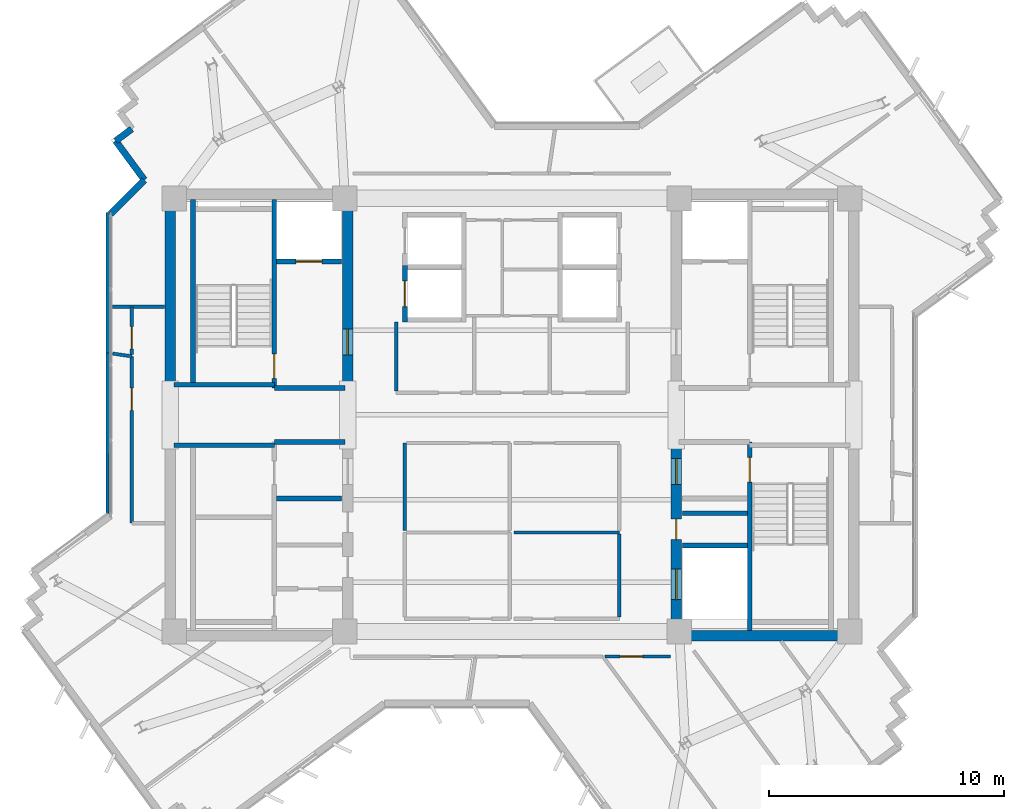
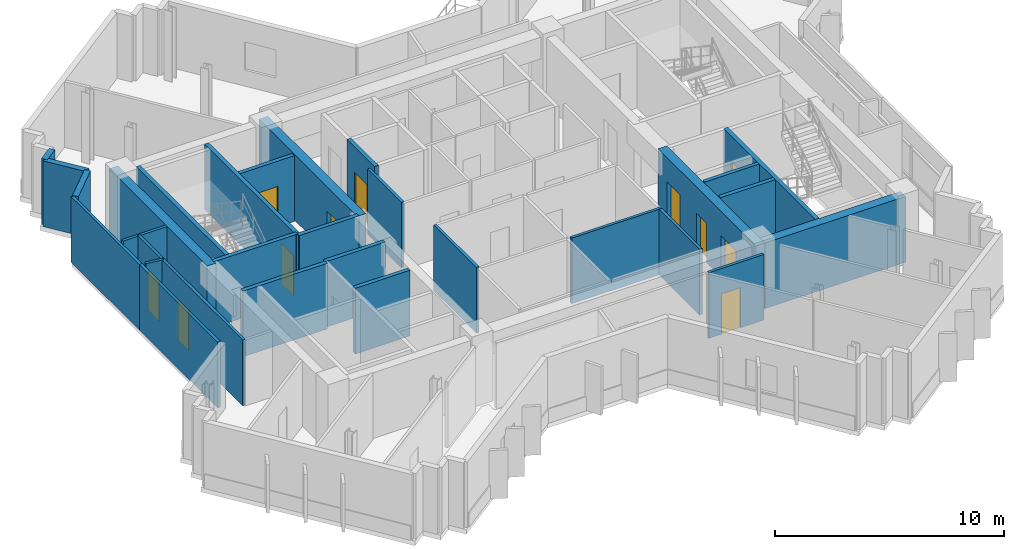
# One storey, part 7 of 13: 30 walls, 11 doors, 11 openings.
"""IFC4 building model written with IfcOpenShell, lengths in metres."""

from ifc_helpers import new_model, si_unit, direction, frame, frame_2d, origin, place, context, subcontext, project, spatial, rectangle, extrude, source, transform, mapped, material, layer, layer_set, type_object, element, fill, save


model = new_model("IFC4")

# Units and contexts
model_context = context("Model", 3, precision=1e-05, world=origin(), true_north=direction((0.0, 1.0)))
body_context = subcontext(model_context, "Body", "Model", "MODEL_VIEW")
ifc_project = project(units=[si_unit("LENGTHUNIT", "METRE"), si_unit("AREAUNIT", "SQUARE_METRE"), si_unit("VOLUMEUNIT", "CUBIC_METRE"), si_unit("PLANEANGLEUNIT", "RADIAN"), si_unit("MASSUNIT", "GRAM", prefix="KILO")], contexts=[model_context])

# Site, building, storey
site_placement = place(None, origin())
site = spatial("IfcSite", under=ifc_project, at=site_placement, CompositionType="ELEMENT")
building_placement = place(site_placement, origin())
building = spatial("IfcBuilding", under=site, at=building_placement, Name="Zahravan Cultural Tower", CompositionType="ELEMENT")
storey_placement = place(building_placement, frame((0.0, 0.0, 276.60009765625)))
storey = spatial("IfcBuildingStorey", under=building, at=storey_placement, Name="L66", CompositionType="ELEMENT", Elevation=276.60009765625)

# Wall, opening, door
ifc_material_1 = material(Name="Concrete C50/60", Category="concrete")
ifc_layer_1 = layer(ifc_material_1, 0.449951171875)
ifc_layer_set_1 = layer_set([ifc_layer_1], Name="Concrete C50/60")
wall_type_1 = type_object("IfcWallType", Name="CW-SHEAR-450-C50", PredefinedType="SHEAR", material=ifc_layer_set_1)
wall_1_placement = place(storey_placement, frame((29.02490234375, 28.050048828125, 0.0), z_axis=(0.0, 0.0, 1.0), x_axis=(0.0, 1.0, 0.0)))
wall_1 = element("IfcWall", 1, at=wall_1_placement, inside=storey, type_object=wall_type_1, Name="L66 Core Shear Wall CW-W-EN-L66", PredefinedType="SHEAR", context=body_context, shape_type="SweptSolid", body=[
    extrude(rectangle(XDim=8.550048828125, YDim=0.449951171875, at=frame_2d((4.27490234375, 0.0))), origin(), (0.0, 0.0, 1.0), 3.5),
])
opening_1_placement = place(wall_1_placement, frame((1.5, 0.0, 0.0)))
opening_1 = element("IfcOpeningElement", 2, at=opening_1_placement, cuts=wall_1, Name="Opening D-L66-06", PredefinedType="OPENING", context=body_context, shape_type="SweptSolid", body=[
    extrude(rectangle(XDim=1.10009765625, YDim=2.199951171875, at=frame_2d((0.550048828125, 1.10009765625))), frame((0.0, 0.23486328125, 0.0), z_axis=(0.0, -1.0, 0.0), x_axis=(1.0, 0.0, 0.0)), (0.0, 0.0, 1.0), 0.469970703125),
])
ifc_material_2 = material(Name="Steel ASTM A572 Grade 50", Category="steel")
door_type_1 = type_object("IfcDoorType", Name="DR-LOBBY-1100", OperationType="NOTDEFINED", PredefinedType="DOOR", material=ifc_material_2)
shared_shape_1 = source(origin(), body_context, "Body", "SweptSolid", [
    extrude(rectangle(XDim=1.10009765625, YDim=2.199951171875, at=frame_2d((0.550048828125, 1.10009765625))), frame((0.0, 0.02490234375, 0.0), z_axis=(0.0, -1.0, 0.0), x_axis=(1.0, 0.0, 0.0)), (0.0, 0.0, 1.0), 0.050048828125),
])
door_1_placement = place(opening_1_placement, origin())
door_1 = element("IfcDoor", 3, at=door_1_placement, inside=storey, type_object=door_type_1, Name="L66 Door D-L66-06", OperationType="SINGLE_SWING_RIGHT", OverallHeight=2.199951171875, OverallWidth=1.10009765625, PredefinedType="DOOR", context=body_context, shape_type="MappedRepresentation", body=[
    mapped(shared_shape_1, transform((0.0, 0.0, 0.0), x_axis=(1.0, 0.0, 0.0), y_axis=(0.0, 1.0, 0.0), z_axis=(0.0, 0.0, 1.0), scale=1.0)),
])
fill(opening_1, door_1)

# Wall, openings, doors
wall_2_placement = place(storey_placement, frame((42.97509765625, 17.39990234375, 0.0), z_axis=(0.0, 0.0, 1.0), x_axis=(0.0, 1.0, 0.0)))
wall_2 = element("IfcWall", 4, at=wall_2_placement, inside=storey, type_object=wall_type_1, Name="L66 Core Shear Wall CW-E-WS-L66", PredefinedType="SHEAR", context=body_context, shape_type="SweptSolid", body=[
    extrude(rectangle(XDim=8.550048828125, YDim=0.449951171875, at=frame_2d((4.27490234375, 0.0))), origin(), (0.0, 0.0, 1.0), 3.5),
])
opening_2_placement = place(wall_2_placement, frame((6.64990234375, 0.0, 0.0)))
opening_2 = element("IfcOpeningElement", 5, at=opening_2_placement, cuts=wall_2, Name="Opening D-L66-09", PredefinedType="OPENING", context=body_context, shape_type="SweptSolid", body=[
    extrude(rectangle(XDim=1.10009765625, YDim=2.199951171875, at=frame_2d((0.550048828125, 1.10009765625))), frame((0.0, 0.23486328125, 0.0), z_axis=(0.0, -1.0, 0.0), x_axis=(1.0, 0.0, 0.0)), (0.0, 0.0, 1.0), 0.469970703125),
])
opening_3_placement = place(wall_2_placement, frame((1.75, 0.0, 0.0)))
opening_3 = element("IfcOpeningElement", 6, at=opening_3_placement, cuts=wall_2, Name="Opening LD-L66-03", PredefinedType="OPENING", context=body_context, shape_type="SweptSolid", body=[
    extrude(rectangle(XDim=1.300048828125, YDim=2.199951171875, at=frame_2d((0.64990234375, 1.10009765625))), frame((0.0, 0.23486328125, 0.0), z_axis=(0.0, -1.0, 0.0), x_axis=(1.0, 0.0, 0.0)), (0.0, 0.0, 1.0), 0.469970703125),
])
opening_4_placement = place(wall_2_placement, frame((4.300048828125, 0.0, 0.0)))
opening_4 = element("IfcOpeningElement", 7, at=opening_4_placement, cuts=wall_2, Name="Opening D-L66-13", PredefinedType="OPENING", context=body_context, shape_type="SweptSolid", body=[
    extrude(rectangle(XDim=0.8798828125, YDim=2.10009765625, at=frame_2d((0.43994140625, 1.050048828125))), frame((0.0, 0.23486328125, 0.0), z_axis=(0.0, -1.0, 0.0), x_axis=(1.0, 0.0, 0.0)), (0.0, 0.0, 1.0), 0.469970703125),
])
door_2_placement = place(opening_2_placement, origin())
door_2 = element("IfcDoor", 8, at=door_2_placement, inside=storey, type_object=door_type_1, Name="L66 Door D-L66-09", OperationType="SINGLE_SWING_LEFT", OverallHeight=2.199951171875, OverallWidth=1.10009765625, PredefinedType="DOOR", context=body_context, shape_type="MappedRepresentation", body=[
    mapped(shared_shape_1, transform((0.0, 0.0, 0.0), x_axis=(1.0, 0.0, 0.0), y_axis=(0.0, 1.0, 0.0), z_axis=(0.0, 0.0, 1.0), scale=1.0)),
])
fill(opening_2, door_2)
door_type_2 = type_object("IfcDoorType", Name="DR-LIFT-1300", OperationType="DOUBLE_DOOR_SLIDING", PredefinedType="DOOR", material=ifc_material_2)
shared_shape_2 = source(origin(), body_context, "Body", "SweptSolid", [
    extrude(rectangle(XDim=1.300048828125, YDim=2.199951171875, at=frame_2d((0.64990234375, 1.10009765625))), frame((0.0, 0.02490234375, 0.0), z_axis=(0.0, -1.0, 0.0), x_axis=(1.0, 0.0, 0.0)), (0.0, 0.0, 1.0), 0.050048828125),
])
door_3_placement = place(opening_3_placement, origin())
door_3 = element("IfcDoor", 9, at=door_3_placement, inside=storey, type_object=door_type_2, Name="L66 Door LD-L66-03", OperationType="DOUBLE_DOOR_SLIDING", OverallHeight=2.199951171875, OverallWidth=1.300048828125, PredefinedType="DOOR", context=body_context, shape_type="MappedRepresentation", body=[
    mapped(shared_shape_2, transform((0.0, 0.0, 0.0), x_axis=(1.0, 0.0, 0.0), y_axis=(0.0, 1.0, 0.0), z_axis=(0.0, 0.0, 1.0), scale=1.0)),
])
fill(opening_3, door_3)
door_type_3 = type_object("IfcDoorType", Name="DR-SVC-880", OperationType="NOTDEFINED", PredefinedType="DOOR", material=ifc_material_2)
shared_shape_3 = source(origin(), body_context, "Body", "SweptSolid", [
    extrude(rectangle(XDim=0.8798828125, YDim=2.10009765625, at=frame_2d((0.43994140625, 1.050048828125))), frame((0.0, 0.02490234375, 0.0), z_axis=(0.0, -1.0, 0.0), x_axis=(1.0, 0.0, 0.0)), (0.0, 0.0, 1.0), 0.050048828125),
])
door_4_placement = place(opening_4_placement, origin())
door_4 = element("IfcDoor", 10, at=door_4_placement, inside=storey, type_object=door_type_3, Name="L66 Door D-L66-13", OperationType="SINGLE_SWING_LEFT", OverallHeight=2.10009765625, OverallWidth=0.8798828125, PredefinedType="DOOR", context=body_context, shape_type="MappedRepresentation", body=[
    mapped(shared_shape_3, transform((0.0, 0.0, 0.0), x_axis=(1.0, 0.0, 0.0), y_axis=(0.0, 1.0, 0.0), z_axis=(0.0, 0.0, 1.0), scale=1.0)),
])
fill(opening_4, door_4)

# Wall, opening, door
ifc_material_3 = material(Name="Gypsum plasterboard partition")
ifc_layer_2 = layer(ifc_material_3, 0.139892578125)
ifc_layer_set_2 = layer_set([ifc_layer_2], Name="Gypsum plasterboard partition")
wall_type_2 = type_object("IfcWallType", Name="W-PART-140", PredefinedType="PARTITIONING", material=ifc_layer_set_2)
wall_3_placement = place(storey_placement, frame((19.85009765625, 29.489501953125, 0.0), z_axis=(0.0, 0.0, 1.0), x_axis=(0.0, -1.0, 0.0)))
wall_3 = element("IfcWall", 11, at=wall_3_placement, inside=storey, type_object=wall_type_2, Name="L66 Interior Wall 081", PredefinedType="PARTITIONING", context=body_context, shape_type="SweptSolid", body=[
    extrude(rectangle(XDim=7.08349609375, YDim=0.139892578125, at=frame_2d((3.541748046875, 0.0))), origin(), (0.0, 0.0, 1.0), 3.5),
])
opening_5_placement = place(wall_3_placement, frame((1.349365234375, 0.0, 0.0)))
opening_5 = element("IfcOpeningElement", 12, at=opening_5_placement, cuts=wall_3, Name="Opening D-L66-27", PredefinedType="OPENING", context=body_context, shape_type="SweptSolid", body=[
    extrude(rectangle(XDim=0.949951171875, YDim=2.14990234375, at=frame_2d((0.47509765625, 1.074951171875))), frame((0.0, 0.079833984375, 0.0), z_axis=(0.0, -1.0, 0.0), x_axis=(1.0, 0.0, 0.0)), (0.0, 0.0, 1.0), 0.159912109375),
])
ifc_material_4 = material(Name="Anodised bronze-aluminium mullion", Category="aluminium")
door_type_4 = type_object("IfcDoorType", Name="DR-ROOM-950", OperationType="NOTDEFINED", PredefinedType="DOOR", material=ifc_material_4)
shared_shape_4 = source(origin(), body_context, "Body", "SweptSolid", [
    extrude(rectangle(XDim=0.949951171875, YDim=2.14990234375, at=frame_2d((0.47509765625, 1.074951171875))), frame((0.0, 0.02490234375, 0.0), z_axis=(0.0, -1.0, 0.0), x_axis=(1.0, 0.0, 0.0)), (0.0, 0.0, 1.0), 0.050048828125),
])
door_5_placement = place(opening_5_placement, origin())
door_5 = element("IfcDoor", 13, at=door_5_placement, inside=storey, type_object=door_type_4, Name="L66 Door D-L66-27", OperationType="SINGLE_SWING_LEFT", OverallHeight=2.14990234375, OverallWidth=0.949951171875, PredefinedType="DOOR", context=body_context, shape_type="MappedRepresentation", body=[
    mapped(shared_shape_4, transform((0.0, 0.0, 0.0), x_axis=(1.0, 0.0, 0.0), y_axis=(0.0, 1.0, 0.0), z_axis=(0.0, 0.0, 1.0), scale=1.0)),
])
fill(opening_5, door_5)

wall_4_placement = place(storey_placement, frame((39.9560546875, 16.739990234375, 0.0), z_axis=(0.0, 0.0, 1.0), x_axis=(0.999999996161, 8.7619381e-05, 0.0)))
wall_4 = element("IfcWall", 14, at=wall_4_placement, inside=storey, type_object=wall_type_2, Name="L66 Interior Wall 087", PredefinedType="PARTITIONING", context=body_context, shape_type="SweptSolid", body=[
    extrude(rectangle(XDim=2.786376953125, YDim=0.139892578125, at=frame_2d((1.39306640625, 0.0))), origin(), (0.0, 0.0, 1.0), 3.5),
])
opening_6_placement = place(wall_4_placement, frame((0.642578125, 0.0, 0.0)))
opening_6 = element("IfcOpeningElement", 15, at=opening_6_placement, cuts=wall_4, Name="Opening D-L66-30", PredefinedType="OPENING", context=body_context, shape_type="SweptSolid", body=[
    extrude(rectangle(XDim=0.949951171875, YDim=2.14990234375, at=frame_2d((0.47509765625, 1.074951171875))), frame((0.0, 0.079833984375, 0.0), z_axis=(0.0, -1.0, 0.0), x_axis=(1.0, 0.0, 0.0)), (0.0, 0.0, 1.0), 0.159912109375),
])
door_6_placement = place(opening_6_placement, origin())
door_6 = element("IfcDoor", 16, at=door_6_placement, inside=storey, type_object=door_type_4, Name="L66 Door D-L66-30", OperationType="SINGLE_SWING_RIGHT", OverallHeight=2.14990234375, OverallWidth=0.949951171875, PredefinedType="DOOR", context=body_context, shape_type="MappedRepresentation", body=[
    mapped(shared_shape_4, transform((0.0, 0.0, 0.0), x_axis=(1.0, 0.0, 0.0), y_axis=(0.0, 1.0, 0.0), z_axis=(0.0, 0.0, 1.0), scale=1.0)),
])
fill(opening_6, door_6)

wall_5_placement = place(storey_placement, frame((19.8505859375, 31.596435546875, 0.0), z_axis=(0.0, 0.0, 1.0), x_axis=(-0.000240384608, -0.999999971108, 0.0)))
wall_5 = element("IfcWall", 17, at=wall_5_placement, inside=storey, type_object=wall_type_2, Name="L66 Interior Wall 091", PredefinedType="PARTITIONING", context=body_context, shape_type="SweptSolid", body=[
    extrude(rectangle(XDim=2.03125, YDim=0.139892578125, at=frame_2d((1.015625, 0.0))), origin(), (0.0, 0.0, 1.0), 3.5),
])
opening_7_placement = place(wall_5_placement, frame((0.843505859375, 0.0, 0.0)))
opening_7 = element("IfcOpeningElement", 18, at=opening_7_placement, cuts=wall_5, Name="Opening D-L66-26", PredefinedType="OPENING", context=body_context, shape_type="SweptSolid", body=[
    extrude(rectangle(XDim=0.949951171875, YDim=2.14990234375, at=frame_2d((0.47509765625, 1.074951171875))), frame((0.0, 0.079833984375, 0.0), z_axis=(0.0, -1.0, 0.0), x_axis=(1.0, 0.0, 0.0)), (0.0, 0.0, 1.0), 0.159912109375),
])
door_7_placement = place(opening_7_placement, origin())
door_7 = element("IfcDoor", 19, at=door_7_placement, inside=storey, type_object=door_type_4, Name="L66 Door D-L66-26", OperationType="SINGLE_SWING_RIGHT", OverallHeight=2.14990234375, OverallWidth=0.949951171875, PredefinedType="DOOR", context=body_context, shape_type="MappedRepresentation", body=[
    mapped(shared_shape_4, transform((0.0, 0.0, 0.0), x_axis=(1.0, 0.0, 0.0), y_axis=(0.0, 1.0, 0.0), z_axis=(0.0, 0.0, 1.0), scale=1.0)),
])
fill(opening_7, door_7)

ifc_material_5 = material(Name="Concrete C45/55", Category="concrete")
ifc_layer_3 = layer(ifc_material_5, 0.199951171875)
ifc_layer_set_3 = layer_set([ifc_layer_3], Name="Concrete C45/55")
wall_type_3 = type_object("IfcWallType", Name="W-SHAFT-200", PredefinedType="SOLIDWALL", material=ifc_layer_set_3)
wall_6_placement = place(storey_placement, frame((25.89990234375, 28.14990234375, 0.0), z_axis=(0.0, 0.0, 1.0), x_axis=(0.0, 1.0, 0.0)))
wall_6 = element("IfcWall", 20, at=wall_6_placement, inside=storey, type_object=wall_type_3, Name="L66 Interior Wall 006", PredefinedType="SOLIDWALL", context=body_context, shape_type="SweptSolid", body=[
    extrude(rectangle(XDim=8.0, YDim=0.199951171875, at=frame_2d((4.0, 0.0))), origin(), (0.0, 0.0, 1.0), 3.5),
])
opening_8_placement = place(wall_6_placement, frame((0.39990234375, 0.0, 0.0)))
opening_8 = element("IfcOpeningElement", 21, at=opening_8_placement, cuts=wall_6, Name="Opening D-L66-01", PredefinedType="OPENING", context=body_context, shape_type="SweptSolid", body=[
    extrude(rectangle(XDim=1.050048828125, YDim=2.14990234375, at=frame_2d((0.52490234375, 1.074951171875))), frame((0.0, 0.10986328125, 0.0), z_axis=(0.0, -1.0, 0.0), x_axis=(1.0, 0.0, 0.0)), (0.0, 0.0, 1.0), 0.219970703125),
])
door_type_5 = type_object("IfcDoorType", Name="DR-STAIR-1050", OperationType="NOTDEFINED", PredefinedType="DOOR", material=ifc_material_2)
shared_shape_5 = source(origin(), body_context, "Body", "SweptSolid", [
    extrude(rectangle(XDim=1.050048828125, YDim=2.14990234375, at=frame_2d((0.52490234375, 1.074951171875))), frame((0.0, 0.02490234375, 0.0), z_axis=(0.0, -1.0, 0.0), x_axis=(1.0, 0.0, 0.0)), (0.0, 0.0, 1.0), 0.050048828125),
])
door_8_placement = place(opening_8_placement, origin())
door_8 = element("IfcDoor", 22, at=door_8_placement, inside=storey, type_object=door_type_5, Name="L66 Door D-L66-01", OperationType="SINGLE_SWING_LEFT", OverallHeight=2.14990234375, OverallWidth=1.050048828125, PredefinedType="DOOR", context=body_context, shape_type="MappedRepresentation", body=[
    mapped(shared_shape_5, transform((0.0, 0.0, 0.0), x_axis=(1.0, 0.0, 0.0), y_axis=(0.0, 1.0, 0.0), z_axis=(0.0, 0.0, 1.0), scale=1.0)),
])
fill(opening_8, door_8)

wall_7_placement = place(storey_placement, frame((46.10009765625, 17.85009765625, 0.0), z_axis=(0.0, 0.0, 1.0), x_axis=(0.0, 1.0, 0.0)))
wall_7 = element("IfcWall", 23, at=wall_7_placement, inside=storey, type_object=wall_type_3, Name="L66 Interior Wall 007", PredefinedType="SOLIDWALL", context=body_context, shape_type="SweptSolid", body=[
    extrude(rectangle(XDim=8.0, YDim=0.199951171875, at=frame_2d((4.0, 0.0))), origin(), (0.0, 0.0, 1.0), 3.5),
])
opening_9_placement = place(wall_7_placement, frame((6.300048828125, 0.0, 0.0)))
opening_9 = element("IfcOpeningElement", 24, at=opening_9_placement, cuts=wall_7, Name="Opening D-L66-03", PredefinedType="OPENING", context=body_context, shape_type="SweptSolid", body=[
    extrude(rectangle(XDim=1.050048828125, YDim=2.14990234375, at=frame_2d((0.52490234375, 1.074951171875))), frame((0.0, 0.10986328125, 0.0), z_axis=(0.0, -1.0, 0.0), x_axis=(1.0, 0.0, 0.0)), (0.0, 0.0, 1.0), 0.219970703125),
])
door_9_placement = place(opening_9_placement, origin())
door_9 = element("IfcDoor", 25, at=door_9_placement, inside=storey, type_object=door_type_5, Name="L66 Door D-L66-03", OperationType="SINGLE_SWING_LEFT", OverallHeight=2.14990234375, OverallWidth=1.050048828125, PredefinedType="DOOR", context=body_context, shape_type="MappedRepresentation", body=[
    mapped(shared_shape_5, transform((0.0, 0.0, 0.0), x_axis=(1.0, 0.0, 0.0), y_axis=(0.0, 1.0, 0.0), z_axis=(0.0, 0.0, 1.0), scale=1.0)),
])
fill(opening_9, door_9)

wall_8_placement = place(storey_placement, frame((26.0, 33.52001953125, 0.0), z_axis=(0.0, 0.0, 1.0), x_axis=(1.0, 0.0, 0.0)))
wall_8 = element("IfcWall", 26, at=wall_8_placement, inside=storey, type_object=wall_type_3, Name="L66 Interior Wall 022", PredefinedType="SOLIDWALL", context=body_context, shape_type="SweptSolid", body=[
    extrude(rectangle(XDim=2.75, YDim=0.199951171875, at=frame_2d((1.375, 0.0))), origin(), (0.0, 0.0, 1.0), 3.5),
])
opening_10_placement = place(wall_8_placement, frame((0.820068359375, 0.0, 0.0)))
opening_10 = element("IfcOpeningElement", 27, at=opening_10_placement, cuts=wall_8, Name="Opening LD-L66-01", PredefinedType="OPENING", context=body_context, shape_type="SweptSolid", body=[
    extrude(rectangle(XDim=1.10009765625, YDim=2.14990234375, at=frame_2d((0.550048828125, 1.074951171875))), frame((0.0, 0.10986328125, 0.0), z_axis=(0.0, -1.0, 0.0), x_axis=(1.0, 0.0, 0.0)), (0.0, 0.0, 1.0), 0.219970703125),
])
door_type_6 = type_object("IfcDoorType", Name="DR-LIFT-1100", OperationType="DOUBLE_DOOR_SLIDING", PredefinedType="DOOR", material=ifc_material_2)
shared_shape_6 = source(origin(), body_context, "Body", "SweptSolid", [
    extrude(rectangle(XDim=1.10009765625, YDim=2.14990234375, at=frame_2d((0.550048828125, 1.074951171875))), frame((0.0, 0.02490234375, 0.0), z_axis=(0.0, -1.0, 0.0), x_axis=(1.0, 0.0, 0.0)), (0.0, 0.0, 1.0), 0.050048828125),
])
door_10_placement = place(opening_10_placement, origin())
door_10 = element("IfcDoor", 28, at=door_10_placement, inside=storey, type_object=door_type_6, Name="L66 Door LD-L66-01", OperationType="DOUBLE_DOOR_SLIDING", OverallHeight=2.14990234375, OverallWidth=1.10009765625, PredefinedType="DOOR", context=body_context, shape_type="MappedRepresentation", body=[
    mapped(shared_shape_6, transform((0.0, 0.0, 0.0), x_axis=(1.0, 0.0, 0.0), y_axis=(0.0, 1.0, 0.0), z_axis=(0.0, 0.0, 1.0), scale=1.0)),
])
fill(opening_10, door_10)

wall_9_placement = place(storey_placement, frame((31.449951171875, 30.949951171875, 0.0), z_axis=(0.0, 0.0, 1.0), x_axis=(0.0, 1.0, 0.0)))
wall_9 = element("IfcWall", 29, at=wall_9_placement, inside=storey, type_object=wall_type_3, Name="L66 Interior Wall 034", PredefinedType="SOLIDWALL", context=body_context, shape_type="SweptSolid", body=[
    extrude(rectangle(XDim=2.400146484375, YDim=0.199951171875, at=frame_2d((1.2001953125, 0.0))), origin(), (0.0, 0.0, 1.0), 3.5),
])
opening_11_placement = place(wall_9_placement, frame((0.64990234375, 0.0, 0.0)))
opening_11 = element("IfcOpeningElement", 30, at=opening_11_placement, cuts=wall_9, Name="Opening LD-L66-05", PredefinedType="OPENING", context=body_context, shape_type="SweptSolid", body=[
    extrude(rectangle(XDim=1.10009765625, YDim=2.14990234375, at=frame_2d((0.550048828125, 1.074951171875))), frame((0.0, 0.10986328125, 0.0), z_axis=(0.0, -1.0, 0.0), x_axis=(1.0, 0.0, 0.0)), (0.0, 0.0, 1.0), 0.219970703125),
])
door_11_placement = place(opening_11_placement, origin())
door_11 = element("IfcDoor", 31, at=door_11_placement, inside=storey, type_object=door_type_6, Name="L66 Door LD-L66-05", OperationType="DOUBLE_DOOR_SLIDING", OverallHeight=2.14990234375, OverallWidth=1.10009765625, PredefinedType="DOOR", context=body_context, shape_type="MappedRepresentation", body=[
    mapped(shared_shape_6, transform((0.0, 0.0, 0.0), x_axis=(1.0, 0.0, 0.0), y_axis=(0.0, 1.0, 0.0), z_axis=(0.0, 0.0, 1.0), scale=1.0)),
])
fill(opening_11, door_11)

# Walls
shared_shape_7 = source(origin(), body_context, "Body", "SweptSolid", [
    extrude(rectangle(XDim=8.550048828125, YDim=0.449951171875, at=frame_2d((4.27490234375, 0.0))), origin(), (0.0, 0.0, 1.0), 3.5),
])
wall_10_placement = place(storey_placement, frame((21.47509765625, 28.050048828125, 0.0), z_axis=(0.0, 0.0, 1.0), x_axis=(0.0, 1.0, 0.0)))
element("IfcWall", 32, at=wall_10_placement, inside=storey, type_object=wall_type_1, Name="L66 Core Shear Wall CW-W-WN-L66", PredefinedType="SHEAR", context=body_context, shape_type="MappedRepresentation", body=[
    mapped(shared_shape_7, transform((0.0, 0.0, 0.0), x_axis=(1.0, 0.0, 0.0), y_axis=(0.0, 1.0, 0.0), z_axis=(0.0, 0.0, 1.0), scale=1.0)),
])
shared_shape_8 = source(origin(), body_context, "Body", "SweptSolid", [
    extrude(rectangle(XDim=7.10009765625, YDim=0.449951171875, at=frame_2d((3.550048828125, 0.0))), origin(), (0.0, 0.0, 1.0), 3.5),
])
wall_11_placement = place(storey_placement, frame((43.199951171875, 17.625, 0.0), z_axis=(0.0, 0.0, 1.0), x_axis=(1.0, 0.0, 0.0)))
element("IfcWall", 33, at=wall_11_placement, inside=storey, type_object=wall_type_1, Name="L66 Core Shear Wall CW-E-S-L66", PredefinedType="SHEAR", context=body_context, shape_type="MappedRepresentation", body=[
    mapped(shared_shape_8, transform((0.0, 0.0, 0.0), x_axis=(1.0, 0.0, 0.0), y_axis=(0.0, 1.0, 0.0), z_axis=(0.0, 0.0, 1.0), scale=1.0)),
])
ifc_material_6 = material(Name="Precast concrete C40/50", Category="concrete")
ifc_layer_4 = layer(ifc_material_6, 0.280029296875)
ifc_layer_set_4 = layer_set([ifc_layer_4], Name="Precast concrete C40/50")
wall_type_4 = type_object("IfcWallType", Name="EW-TC-280", PredefinedType="SOLIDWALL", material=ifc_layer_set_4)
shared_shape_9 = source(origin(), body_context, "Body", "SweptSolid", [
    extrude(rectangle(XDim=0.85009765625, YDim=0.280029296875, at=frame_2d((0.425048828125, 0.0))), origin(), (0.0, 0.0, 1.0), 3.5),
])
wall_12_placement = place(storey_placement, frame((19.160888671875, 38.645263671875, 0.0), z_axis=(0.0, 0.0, 1.0), x_axis=(0.80534450163, 0.592807079659, 0.0)))
element("IfcWall", 34, at=wall_12_placement, inside=storey, type_object=wall_type_4, Name="L66 Exterior Masonry Frame Wall 38", PredefinedType="SOLIDWALL", context=body_context, shape_type="MappedRepresentation", body=[
    mapped(shared_shape_9, transform((0.0, 0.0, 0.0), x_axis=(1.0, 0.0, 0.0), y_axis=(0.0, 1.0, 0.0), z_axis=(0.0, 0.0, 1.0), scale=1.0)),
])
shared_shape_10 = source(origin(), body_context, "Body", "SweptSolid", [
    extrude(rectangle(XDim=2.04052734375, YDim=0.280029296875, at=frame_2d((1.020263671875, 0.0))), origin(), (0.0, 0.0, 1.0), 3.5),
])
wall_13_placement = place(storey_placement, frame((18.93994140625, 35.5419921875, 0.0), z_axis=(0.0, 0.0, 1.0), x_axis=(0.707106781187, 0.707106781187, 0.0)))
element("IfcWall", 35, at=wall_13_placement, inside=storey, type_object=wall_type_4, Name="L66 Exterior Masonry Frame Wall 36", PredefinedType="SOLIDWALL", context=body_context, shape_type="MappedRepresentation", body=[
    mapped(shared_shape_10, transform((0.0, 0.0, 0.0), x_axis=(1.0, 0.0, 0.0), y_axis=(0.0, 1.0, 0.0), z_axis=(0.0, 0.0, 1.0), scale=1.0)),
])
shared_shape_11 = source(origin(), body_context, "Body", "SweptSolid", [
    extrude(rectangle(XDim=2.0615234375, YDim=0.280029296875, at=frame_2d((1.03076171875, 0.0))), origin(), (0.0, 0.0, 1.0), 3.5),
])
wall_14_placement = place(storey_placement, frame((20.3828125, 36.98486328125, 0.0), z_axis=(0.0, 0.0, 1.0), x_axis=(-0.592718215209, 0.80540990642, 0.0)))
element("IfcWall", 36, at=wall_14_placement, inside=storey, type_object=wall_type_4, Name="L66 Exterior Masonry Frame Wall 37", PredefinedType="SOLIDWALL", context=body_context, shape_type="MappedRepresentation", body=[
    mapped(shared_shape_11, transform((0.0, 0.0, 0.0), x_axis=(1.0, 0.0, 0.0), y_axis=(0.0, 1.0, 0.0), z_axis=(0.0, 0.0, 1.0), scale=1.0)),
])
shared_shape_12 = source(origin(), body_context, "Body", "SweptSolid", [
    extrude(rectangle(XDim=7.869873046875, YDim=0.199951171875, at=frame_2d((3.93505859375, 0.0))), origin(), (0.0, 0.0, 1.0), 3.5),
])
wall_15_placement = place(storey_placement, frame((22.449951171875, 28.280029296875, 0.0), z_axis=(0.0, 0.0, 1.0), x_axis=(0.0, 1.0, 0.0)))
element("IfcWall", 37, at=wall_15_placement, inside=storey, type_object=wall_type_3, Name="L66 Interior Wall 002", PredefinedType="SOLIDWALL", context=body_context, shape_type="MappedRepresentation", body=[
    mapped(shared_shape_12, transform((0.0, 0.0, 0.0), x_axis=(1.0, 0.0, 0.0), y_axis=(0.0, 1.0, 0.0), z_axis=(0.0, 0.0, 1.0), scale=1.0)),
])
shared_shape_13 = source(origin(), body_context, "Body", "SweptSolid", [
    extrude(rectangle(XDim=4.25, YDim=0.199951171875, at=frame_2d((2.125, 0.0))), origin(), (0.0, 0.0, 1.0), 3.5),
])
for number, where, z_axis, x_axis, name in (
    (38, (21.64990234375, 25.715087890625, 0.0), (0.0, 0.0, 1.0), (1.0, 0.0, 0.0), "L66 Interior Wall 009"),
    (39, (21.64990234375, 28.284912109375, 0.0), (0.0, 0.0, 1.0), (1.0, 0.0, 0.0), "L66 Interior Wall 011"),
):
    element("IfcWall", number, at=place(storey_placement, frame(where, z_axis=z_axis, x_axis=x_axis)), inside=storey, type_object=wall_type_3, Name=name, PredefinedType="SOLIDWALL", context=body_context, shape_type="MappedRepresentation", body=[
        mapped(shared_shape_13, transform((0.0, 0.0, 0.0), x_axis=(1.0, 0.0, 0.0), y_axis=(0.0, 1.0, 0.0), z_axis=(0.0, 0.0, 1.0), scale=1.0)),
    ])
shared_shape_14 = source(origin(), body_context, "Body", "SweptSolid", [
    extrude(rectangle(XDim=3.0, YDim=0.199951171875, at=frame_2d((1.5, 0.0))), origin(), (0.0, 0.0, 1.0), 3.5),
])
for number, where, z_axis, x_axis, name in (
    (40, (25.89990234375, 25.85009765625, 0.0), (0.0, 0.0, 1.0), (1.0, 0.0, 0.0), "L66 Interior Wall 010"),
    (41, (25.89990234375, 28.14990234375, 0.0), (0.0, 0.0, 1.0), (1.0, 0.0, 0.0), "L66 Interior Wall 012"),
):
    element("IfcWall", number, at=place(storey_placement, frame(where, z_axis=z_axis, x_axis=x_axis)), inside=storey, type_object=wall_type_3, Name=name, PredefinedType="SOLIDWALL", context=body_context, shape_type="MappedRepresentation", body=[
        mapped(shared_shape_14, transform((0.0, 0.0, 0.0), x_axis=(1.0, 0.0, 0.0), y_axis=(0.0, 1.0, 0.0), z_axis=(0.0, 0.0, 1.0), scale=1.0)),
    ])
shared_shape_15 = source(origin(), body_context, "Body", "SweptSolid", [
    extrude(rectangle(XDim=2.75, YDim=0.199951171875, at=frame_2d((1.375, 0.0))), origin(), (0.0, 0.0, 1.0), 3.5),
])
for number, where, z_axis, x_axis, name in (
    (42, (26.0, 23.449951171875, 0.0), (0.0, 0.0, 1.0), (1.0, 0.0, 0.0), "L66 Interior Wall 024"),
    (43, (43.25, 21.449951171875, 0.0), (0.0, 0.0, 1.0), (1.0, 0.0, 0.0), "L66 Interior Wall 026"),
):
    element("IfcWall", number, at=place(storey_placement, frame(where, z_axis=z_axis, x_axis=x_axis)), inside=storey, type_object=wall_type_3, Name=name, PredefinedType="SOLIDWALL", context=body_context, shape_type="MappedRepresentation", body=[
        mapped(shared_shape_15, transform((0.0, 0.0, 0.0), x_axis=(1.0, 0.0, 0.0), y_axis=(0.0, 1.0, 0.0), z_axis=(0.0, 0.0, 1.0), scale=1.0)),
    ])
ifc_layer_5 = layer(ifc_material_3, 0.179931640625)
ifc_layer_set_5 = layer_set([ifc_layer_5], Name="Gypsum plasterboard partition")
wall_type_5 = type_object("IfcWallType", Name="W-COMP-180", PredefinedType="PARTITIONING", material=ifc_layer_set_5)
shared_shape_16 = source(origin(), body_context, "Body", "SweptSolid", [
    extrude(rectangle(XDim=2.75, YDim=0.179931640625, at=frame_2d((1.375, 0.0))), origin(), (0.0, 0.0, 1.0), 3.5),
])
wall_16_placement = place(storey_placement, frame((43.25, 22.820068359375, 0.0), z_axis=(0.0, 0.0, 1.0), x_axis=(1.0, 0.0, 0.0)))
element("IfcWall", 44, at=wall_16_placement, inside=storey, type_object=wall_type_5, Name="L66 Interior Wall 029", PredefinedType="PARTITIONING", context=body_context, shape_type="MappedRepresentation", body=[
    mapped(shared_shape_16, transform((0.0, 0.0, 0.0), x_axis=(1.0, 0.0, 0.0), y_axis=(0.0, 1.0, 0.0), z_axis=(0.0, 0.0, 1.0), scale=1.0)),
])
shared_shape_17 = source(origin(), body_context, "Body", "SweptSolid", [
    extrude(rectangle(XDim=2.93505859375, YDim=0.139892578125, at=frame_2d((1.467529296875, 0.0))), origin(), (0.0, 0.0, 1.0), 3.5),
])
wall_17_placement = place(storey_placement, frame((31.080078125, 28.014892578125, 0.0), z_axis=(0.0, 0.0, 1.0), x_axis=(0.0, 1.0, 0.0)))
element("IfcWall", 45, at=wall_17_placement, inside=storey, type_object=wall_type_2, Name="L66 Interior Wall 055", PredefinedType="PARTITIONING", context=body_context, shape_type="MappedRepresentation", body=[
    mapped(shared_shape_17, transform((0.0, 0.0, 0.0), x_axis=(1.0, 0.0, 0.0), y_axis=(0.0, 1.0, 0.0), z_axis=(0.0, 0.0, 1.0), scale=1.0)),
])
shared_shape_18 = source(origin(), body_context, "Body", "SweptSolid", [
    extrude(rectangle(XDim=4.469970703125, YDim=0.139892578125, at=frame_2d((2.23486328125, 0.0))), origin(), (0.0, 0.0, 1.0), 3.5),
])
wall_18_placement = place(storey_placement, frame((36.090087890625, 22.010009765625, 0.0), z_axis=(0.0, 0.0, 1.0), x_axis=(1.0, 0.0, 0.0)))
element("IfcWall", 46, at=wall_18_placement, inside=storey, type_object=wall_type_2, Name="L66 Interior Wall 063", PredefinedType="PARTITIONING", context=body_context, shape_type="MappedRepresentation", body=[
    mapped(shared_shape_18, transform((0.0, 0.0, 0.0), x_axis=(1.0, 0.0, 0.0), y_axis=(0.0, 1.0, 0.0), z_axis=(0.0, 0.0, 1.0), scale=1.0)),
])
shared_shape_19 = source(origin(), body_context, "Body", "SweptSolid", [
    extrude(rectangle(XDim=3.52001953125, YDim=0.139892578125, at=frame_2d((1.760009765625, 0.0))), origin(), (0.0, 0.0, 1.0), 3.5),
])
wall_19_placement = place(storey_placement, frame((40.56005859375, 21.93505859375, 0.0), z_axis=(0.0, 0.0, 1.0), x_axis=(0.0, -1.0, 0.0)))
element("IfcWall", 47, at=wall_19_placement, inside=storey, type_object=wall_type_2, Name="L66 Interior Wall 064", PredefinedType="PARTITIONING", context=body_context, shape_type="MappedRepresentation", body=[
    mapped(shared_shape_19, transform((0.0, 0.0, 0.0), x_axis=(1.0, 0.0, 0.0), y_axis=(0.0, 1.0, 0.0), z_axis=(0.0, 0.0, 1.0), scale=1.0)),
])
shared_shape_20 = source(origin(), body_context, "Body", "SweptSolid", [
    extrude(rectangle(XDim=3.719970703125, YDim=0.139892578125, at=frame_2d((1.85986328125, 0.0))), origin(), (0.0, 0.0, 1.0), 3.5),
])
wall_20_placement = place(storey_placement, frame((31.43994140625, 22.090087890625, 0.0), z_axis=(0.0, 0.0, 1.0), x_axis=(0.0, 1.0, 0.0)))
element("IfcWall", 48, at=wall_20_placement, inside=storey, type_object=wall_type_2, Name="L66 Interior Wall 065", PredefinedType="PARTITIONING", context=body_context, shape_type="MappedRepresentation", body=[
    mapped(shared_shape_20, transform((0.0, 0.0, 0.0), x_axis=(1.0, 0.0, 0.0), y_axis=(0.0, 1.0, 0.0), z_axis=(0.0, 0.0, 1.0), scale=1.0)),
])
shared_shape_21 = source(origin(), body_context, "Body", "SweptSolid", [
    extrude(rectangle(XDim=6.835693359375, YDim=0.139892578125, at=frame_2d((3.41796875, 0.0))), origin(), (0.0, 0.0, 1.0), 3.5),
])
wall_21_placement = place(storey_placement, frame((18.818115234375, 22.8046875, 0.0), z_axis=(0.0, 0.0, 1.0), x_axis=(0.000285724478, 0.999999959181, 0.0)))
element("IfcWall", 49, at=wall_21_placement, inside=storey, type_object=wall_type_2, Name="L66 Interior Wall 083", PredefinedType="PARTITIONING", context=body_context, shape_type="MappedRepresentation", body=[
    mapped(shared_shape_21, transform((0.0, 0.0, 0.0), x_axis=(1.0, 0.0, 0.0), y_axis=(0.0, 1.0, 0.0), z_axis=(0.0, 0.0, 1.0), scale=1.0)),
])
shared_shape_22 = source(origin(), body_context, "Body", "SweptSolid", [
    extrude(rectangle(XDim=0.823974609375, YDim=0.139892578125, at=frame_2d((0.412109375, 0.0))), origin(), (0.0, 0.0, 1.0), 3.5),
])
wall_22_placement = place(storey_placement, frame((19.034912109375, 29.60888671875, 0.0), z_axis=(0.0, 0.0, 1.0), x_axis=(0.989445525715, -0.144905319579, 0.0)))
element("IfcWall", 50, at=wall_22_placement, inside=storey, type_object=wall_type_2, Name="L66 Interior Wall 084", PredefinedType="PARTITIONING", context=body_context, shape_type="MappedRepresentation", body=[
    mapped(shared_shape_22, transform((0.0, 0.0, 0.0), x_axis=(1.0, 0.0, 0.0), y_axis=(0.0, 1.0, 0.0), z_axis=(0.0, 0.0, 1.0), scale=1.0)),
])
shared_shape_23 = source(origin(), body_context, "Body", "SweptSolid", [
    extrude(rectangle(XDim=5.951416015625, YDim=0.139892578125, at=frame_2d((2.9755859375, 0.0))), origin(), (0.0, 0.0, 1.0), 3.5),
])
wall_23_placement = place(storey_placement, frame((18.820068359375, 29.640380859375, 0.0), z_axis=(0.0, 0.0, 1.0), x_axis=(0.0, 1.0, 0.0)))
element("IfcWall", 51, at=wall_23_placement, inside=storey, type_object=wall_type_2, Name="L66 Interior Wall 092", PredefinedType="PARTITIONING", context=body_context, shape_type="MappedRepresentation", body=[
    mapped(shared_shape_23, transform((0.0, 0.0, 0.0), x_axis=(1.0, 0.0, 0.0), y_axis=(0.0, 1.0, 0.0), z_axis=(0.0, 0.0, 1.0), scale=1.0)),
])
shared_shape_24 = source(origin(), body_context, "Body", "SweptSolid", [
    extrude(rectangle(XDim=2.215087890625, YDim=0.139892578125, at=frame_2d((1.107421875, 0.0))), origin(), (0.0, 0.0, 1.0), 3.5),
])
wall_24_placement = place(storey_placement, frame((21.2451171875, 31.599853515625, 0.0), z_axis=(0.0, 0.0, 1.0), x_axis=(-0.999997060242, -0.002424769682, 0.0)))
element("IfcWall", 52, at=wall_24_placement, inside=storey, type_object=wall_type_2, Name="L66 Interior Wall 095", PredefinedType="PARTITIONING", context=body_context, shape_type="MappedRepresentation", body=[
    mapped(shared_shape_24, transform((0.0, 0.0, 0.0), x_axis=(1.0, 0.0, 0.0), y_axis=(0.0, 1.0, 0.0), z_axis=(0.0, 0.0, 1.0), scale=1.0)),
])

save(model, "model.ifc")
